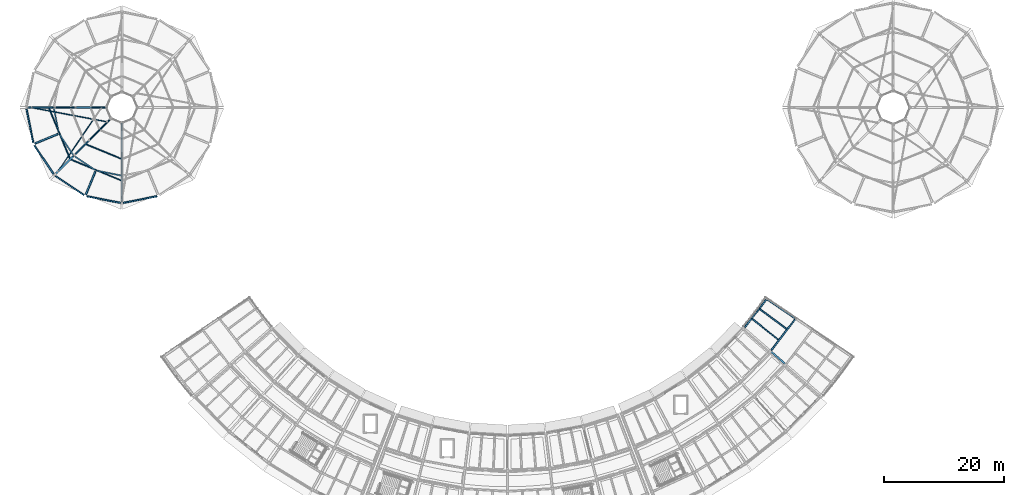
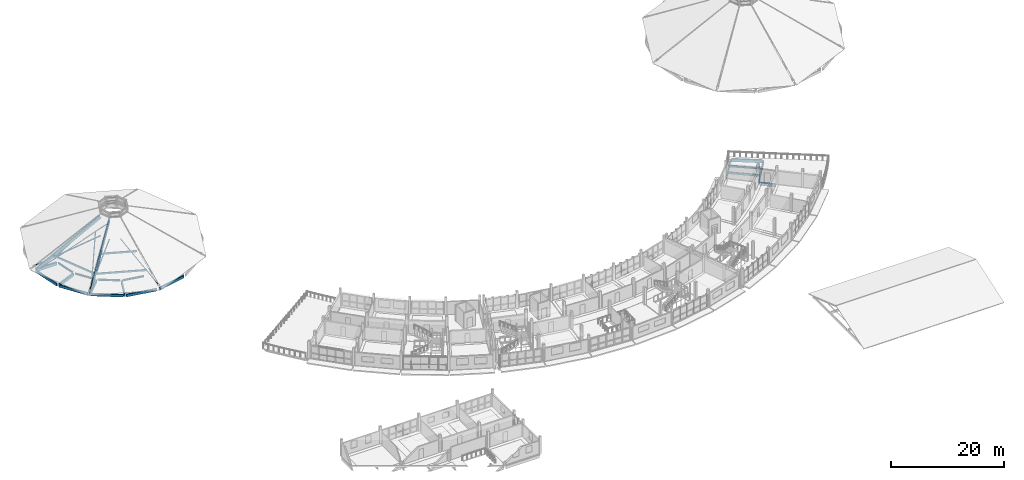
# One storey, part 30 of 66: 19 beams, 12 members.
"""IFC4 building model written with IfcOpenShell, lengths in metres."""

from ifc_helpers import new_model, si_unit, direction, frame, origin, origin_2d, place, context, subcontext, project, spatial, rectangle, hollow_rectangle, hollow_circle, i_section, extrude, material, material_profile, profile_set, type_object, element, save


model = new_model("IFC4")

# Units and contexts
model_context = context("Model", 3, precision=1e-05, world=origin(), true_north=direction((0.0, 1.0)))
body_context = subcontext(model_context, "Body", "Model", "MODEL_VIEW")
ifc_project = project(units=[si_unit("LENGTHUNIT", "METRE"), si_unit("AREAUNIT", "SQUARE_METRE"), si_unit("VOLUMEUNIT", "CUBIC_METRE"), si_unit("PLANEANGLEUNIT", "RADIAN"), si_unit("MASSUNIT", "GRAM", prefix="KILO")], contexts=[model_context])

# Site, building, storey
site_placement = place(None, origin())
site = spatial("IfcSite", under=ifc_project, at=site_placement, CompositionType="ELEMENT")
building_placement = place(site_placement, origin())
building = spatial("IfcBuilding", under=site, at=building_placement, Name="Caldaven Crescent School", CompositionType="ELEMENT")
storey_placement = place(building_placement, frame((0.0, 0.0, 8.159912109375)))
storey = spatial("IfcBuildingStorey", under=building, at=storey_placement, Name="L02", CompositionType="ELEMENT", Elevation=8.159912109375)

# Beams
ifc_material_1 = material(Name="Glulam MLE24h (GL28h)", Category="wood")
ifc_material_profile_1 = material_profile(ifc_material_1, rectangle(XDim=0.239990234375, YDim=0.5400390625, at=origin_2d()), Name="MLE 240x540")
ifc_profile_set_1 = profile_set([ifc_material_profile_1], Name="Glulam MLE24h (GL28h)")
beam_type_1 = type_object("IfcBeamType", Name="BM-GL54", PredefinedType="BEAM", material=ifc_profile_set_1)
beam_1_placement = place(storey_placement, frame((132.124755859375, 57.9140625, -0.52001953125), z_axis=(0.610376182502, 0.792111681415, 0.0), x_axis=(-0.792111681415, 0.610376182502, 0.0)))
element("IfcBeam", 1, at=beam_1_placement, inside=storey, type_object=beam_type_1, Name="BMT-V4E-L02-1332", PredefinedType="BEAM", context=body_context, shape_type="SweptSolid", body=[
    extrude(rectangle(XDim=0.239990234375, YDim=0.5400390625, at=origin_2d()), origin(), (0.0, 0.0, 1.0), 6.4697265625),
])
ifc_material_profile_2 = material_profile(ifc_material_1, rectangle(XDim=0.280029296875, YDim=0.6298828125, at=origin_2d()), Name="MLE 280x630")
ifc_profile_set_2 = profile_set([ifc_material_profile_2], Name="Glulam MLE24h (GL28h)")
beam_type_2 = type_object("IfcBeamType", Name="BM-GL63", PredefinedType="BEAM", material=ifc_profile_set_2)
for number, where, z_axis, x_axis, name in (
    (2, (11.89990234375, 98.5, -0.534912109375), (-1.0, 0.0, 0.0), (0.0, -1.0, 0.0), "BM-V2-L02-0373"),
    (3, (12.782958984375, 94.060791015625, -0.534912109375), (-0.923880985108, -0.382679925467, 0.0), (0.382679925467, -0.923880985108, 0.0), "BM-V2-L02-0376"),
):
    element("IfcBeam", number, at=place(storey_placement, frame(where, z_axis=z_axis, x_axis=x_axis)), inside=storey, type_object=beam_type_2, Name=name, PredefinedType="BEAM", context=body_context, shape_type="SweptSolid", body=[
        extrude(rectangle(XDim=0.280029296875, YDim=0.6298828125, at=origin_2d()), origin(), (0.0, 0.0, 1.0), 4.139892578125),
    ])
beam_2_placement = place(storey_placement, frame((15.297607421875, 90.297607421875, -0.534912109375), z_axis=(-0.707106781187, -0.707106781187, 0.0), x_axis=(0.707106781187, -0.707106781187, 0.0)))
element("IfcBeam", 4, at=beam_2_placement, inside=storey, type_object=beam_type_2, Name="BM-V2-L02-0379", PredefinedType="BEAM", context=body_context, shape_type="SweptSolid", body=[
    extrude(rectangle(XDim=0.280029296875, YDim=0.6298828125, at=origin_2d()), origin(), (0.0, 0.0, 1.0), 4.14013671875),
])
beam_3_placement = place(storey_placement, frame((19.060791015625, 87.782958984375, -0.534912109375), z_axis=(-0.382679925467, -0.923880985108, 0.0), x_axis=(0.923880985108, -0.382679925467, 0.0)))
element("IfcBeam", 5, at=beam_3_placement, inside=storey, type_object=beam_type_2, Name="BM-V2-L02-0382", PredefinedType="BEAM", context=body_context, shape_type="SweptSolid", body=[
    extrude(rectangle(XDim=0.280029296875, YDim=0.6298828125, at=origin_2d()), origin(), (0.0, 0.0, 1.0), 4.139892578125),
])
beam_4_placement = place(storey_placement, frame((132.154296875, 57.6171875, -0.56494140625), z_axis=(0.754742623795, -0.656021014775, 0.0), x_axis=(0.656021014775, 0.754742623795, 0.0)))
element("IfcBeam", 6, at=beam_4_placement, inside=storey, type_object=beam_type_2, Name="BMR-V4E-L02-1292", PredefinedType="BEAM", context=body_context, shape_type="SweptSolid", body=[
    extrude(rectangle(XDim=0.280029296875, YDim=0.6298828125, at=origin_2d()), origin(), (0.0, 0.0, 1.0), 2.989990234375),
])
beam_5_placement = place(storey_placement, frame((131.51953125, 66.385498046875, -0.56494140625), z_axis=(0.826738322643, -0.562586656324, 0.0), x_axis=(0.562586656324, 0.826738322643, 0.0)))
element("IfcBeam", 7, at=beam_5_placement, inside=storey, type_object=beam_type_2, Name="BMR-V4E-L02-1295", PredefinedType="BEAM", context=body_context, shape_type="SweptSolid", body=[
    extrude(rectangle(XDim=0.280029296875, YDim=0.6298828125, at=origin_2d()), origin(), (0.0, 0.0, 1.0), 5.454833984375),
])
ifc_material_2 = material(Name="Steel ASTM A572 Grade 50", Category="steel")
ifc_material_profile_3 = material_profile(ifc_material_2, i_section(OverallWidth=0.205078125, OverallDepth=0.35400390625, WebThickness=0.009521484375, FlangeThickness=0.016845703125, FilletRadius=0.014892578125, at=origin_2d()), Name="W360x79")
ifc_profile_set_3 = profile_set([ifc_material_profile_3], Name="Steel ASTM A572 Grade 50")
beam_type_3 = type_object("IfcBeamType", Name="BM-W36", PredefinedType="BEAM", material=ifc_profile_set_3)
beam_6_placement = place(storey_placement, frame((12.138916015625, 98.303955078125, -0.39697265625), z_axis=(0.195095436925, -0.980784262971, 0.0), x_axis=(0.980784262971, 0.195095436925, 0.0)))
element("IfcBeam", 8, at=beam_6_placement, inside=storey, type_object=beam_type_3, Name="BM-V2-L02-0374", PredefinedType="BEAM", context=body_context, shape_type="SweptSolid", body=[
    extrude(i_section(OverallWidth=0.205078125, OverallDepth=0.35400390625, WebThickness=0.009521484375, FlangeThickness=0.016845703125, FilletRadius=0.014892578125, at=origin_2d()), origin(), (0.0, 0.0, 1.0), 4.04833984375),
])
for number, where, z_axis, x_axis, name in (
    (9, (13.078857421875, 93.97119140625, -0.39697265625), (0.55556277476, -0.831474595704, 0.0), (0.831474595704, 0.55556277476, 0.0), "BM-V2-L02-0377"),
    (10, (15.605224609375, 90.327880859375, -0.39697265625), (0.831474595704, -0.55556277476, 0.0), (0.55556277476, 0.831474595704, 0.0), "BM-V2-L02-0380"),
):
    element("IfcBeam", number, at=place(storey_placement, frame(where, z_axis=z_axis, x_axis=x_axis)), inside=storey, type_object=beam_type_3, Name=name, PredefinedType="BEAM", context=body_context, shape_type="SweptSolid", body=[
        extrude(i_section(OverallWidth=0.205078125, OverallDepth=0.35400390625, WebThickness=0.009521484375, FlangeThickness=0.016845703125, FilletRadius=0.014892578125, at=origin_2d()), origin(), (0.0, 0.0, 1.0), 4.048095703125),
    ])
beam_7_placement = place(storey_placement, frame((19.33349609375, 87.9287109375, -0.39697265625), z_axis=(0.980784262971, -0.195095436925, 0.0), x_axis=(0.195095436925, 0.980784262971, 0.0)))
element("IfcBeam", 11, at=beam_7_placement, inside=storey, type_object=beam_type_3, Name="BM-V2-L02-0383", PredefinedType="BEAM", context=body_context, shape_type="SweptSolid", body=[
    extrude(i_section(OverallWidth=0.205078125, OverallDepth=0.35400390625, WebThickness=0.009521484375, FlangeThickness=0.016845703125, FilletRadius=0.014892578125, at=origin_2d()), origin(), (0.0, 0.0, 1.0), 4.04833984375),
])

# Members
ifc_material_profile_4 = material_profile(ifc_material_2, hollow_circle(Radius=0.05712890625, WallThickness=0.008056640625, at=origin_2d()), Name="CHS 114.3x8.0")
ifc_profile_set_4 = profile_set([ifc_material_profile_4], Name="Steel ASTM A572 Grade 50")
member_type_1 = type_object("IfcMemberType", Name="BR-CH11", PredefinedType="BRACE", material=ifc_profile_set_4)
member_1_placement = place(storey_placement, frame((8.42138671875, 98.477294921875, -0.494140625), z_axis=(0.867283130276, -0.16295821074, 0.470387705506), x_axis=(0.184663595385, 0.98280178904, 0.0)))
element("IfcMember", 12, at=member_1_placement, inside=storey, type_object=member_type_1, Name="RBR-V2-04-X1", PredefinedType="BRACE", context=body_context, shape_type="SweptSolid", body=[
    extrude(hollow_circle(Radius=0.05712890625, WallThickness=0.008056640625, at=origin_2d()), origin(), (0.0, 0.0, 1.0), 14.473876953125),
])
member_2_placement = place(storey_placement, frame((12.82177734375, 87.85400390625, -0.494140625), z_axis=(0.498029503468, 0.728494577084, 0.470385230248), x_axis=(-0.825525919039, 0.564364205983, 0.0)))
element("IfcMember", 13, at=member_2_placement, inside=storey, type_object=member_type_1, Name="RBR-V2-04-X2A", PredefinedType="BRACE", context=body_context, shape_type="SweptSolid", body=[
    extrude(hollow_circle(Radius=0.05712890625, WallThickness=0.008056640625, at=origin_2d()), origin(), (0.0, 0.0, 1.0), 11.851806640625),
])
ifc_material_profile_5 = material_profile(ifc_material_2, hollow_circle(Radius=0.06982421875, WallThickness=0.010009765625, at=origin_2d()), Name="CHS 139.7x10.0")
ifc_profile_set_5 = profile_set([ifc_material_profile_5], Name="Steel ASTM A572 Grade 50")
member_type_2 = type_object("IfcMemberType", Name="BR-CH14", PredefinedType="BRACE", material=ifc_profile_set_5)
member_3_placement = place(storey_placement, frame((12.340576171875, 87.340576171875, 0.529296875), z_axis=(0.700811952879, 0.700811952879, 0.133136071004), x_axis=(-0.707106781187, 0.707106781187, 0.0)))
element("IfcMember", 14, at=member_3_placement, inside=storey, type_object=member_type_2, Name="TT-V2-05", PredefinedType="BRACE", context=body_context, shape_type="SweptSolid", body=[
    extrude(hollow_circle(Radius=0.06982421875, WallThickness=0.010009765625, at=origin_2d()), origin(), (0.0, 0.0, 1.0), 13.280029296875),
])
ifc_material_profile_6 = material_profile(ifc_material_2, hollow_circle(Radius=0.084228515625, WallThickness=0.012451171875, at=origin_2d()), Name="CHS 168.3x12.5")
ifc_profile_set_6 = profile_set([ifc_material_profile_6], Name="Steel ASTM A572 Grade 50")
member_type_3 = type_object("IfcMemberType", Name="BR-CH16", PredefinedType="BRACE", material=ifc_profile_set_6)
for number, where, z_axis, x_axis, name in (
    (15, (7.718017578125, 98.5, 0.529296875), (0.991098017643, 0.0, 0.133134215829), (0.0, 1.0, 0.0), "TT-V2-04"),
    (16, (23.5, 82.718017578125, 0.529296875), (0.0, 0.991098017643, 0.133134215829), (-1.0, 0.0, 0.0), "TT-V2-06"),
):
    element("IfcMember", number, at=place(storey_placement, frame(where, z_axis=z_axis, x_axis=x_axis)), inside=storey, type_object=member_type_3, Name=name, PredefinedType="BRACE", context=body_context, shape_type="SweptSolid", body=[
        extrude(hollow_circle(Radius=0.084228515625, WallThickness=0.012451171875, at=origin_2d()), origin(), (0.0, 0.0, 1.0), 13.2802734375),
    ])
ifc_material_profile_7 = material_profile(ifc_material_1, rectangle(XDim=0.280029296875, YDim=0.6298828125, at=origin_2d()), Name="MLE 280x630")
ifc_profile_set_7 = profile_set([ifc_material_profile_7], Name="Glulam MLE24h (GL28h)")
member_type_4 = type_object("IfcMemberType", Name="CH-GL63", PredefinedType="CHORD", material=ifc_profile_set_7)
for number, where, z_axis, x_axis, name in (
    (17, (7.67724609375, 98.5, -0.46728515625), (0.886348346323, 0.0, 0.463019015777), (0.0, 1.0, 0.0), "TC-V2-04"),
    (18, (12.3115234375, 87.3115234375, -0.46728515625), (0.626742955756, 0.626742955756, 0.463018935703), (-0.707106781187, 0.707106781187, 0.0), "TC-V2-05"),
):
    element("IfcMember", number, at=place(storey_placement, frame(where, z_axis=z_axis, x_axis=x_axis)), inside=storey, type_object=member_type_4, Name=name, PredefinedType="CHORD", context=body_context, shape_type="SweptSolid", body=[
        extrude(rectangle(XDim=0.280029296875, YDim=0.6298828125, at=origin_2d()), origin(), (0.0, 0.0, 1.0), 14.898193359375),
    ])

# Beams
ifc_material_profile_8 = material_profile(ifc_material_1, rectangle(XDim=0.2099609375, YDim=0.419921875, at=origin_2d()), Name="MLE 210x420")
ifc_profile_set_8 = profile_set([ifc_material_profile_8], Name="Glulam MLE24h (GL28h)")
beam_type_4 = type_object("IfcBeamType", Name="JS-GL42", PredefinedType="JOIST", material=ifc_profile_set_8)
for number, where, z_axis, x_axis, name in (
    (19, (128.93359375, 63.15185546875, -0.4599609375), (0.779916998743, -0.625882956367, 0.0), (0.625882956367, 0.779916998743, 0.0), "JSR-V4E-L02-1336"),
    (20, (130.195556640625, 64.789794921875, -0.4599609375), (0.803966298861, -0.594674860991, 0.0), (0.594674860991, 0.803966298861, 0.0), "JSR-V4E-L02-1338"),
):
    element("IfcBeam", number, at=place(storey_placement, frame(where, z_axis=z_axis, x_axis=x_axis)), inside=storey, type_object=beam_type_4, Name=name, PredefinedType="JOIST", context=body_context, shape_type="SweptSolid", body=[
        extrude(rectangle(XDim=0.2099609375, YDim=0.419921875, at=origin_2d()), origin(), (0.0, 0.0, 1.0), 5.61083984375),
    ])

# Members
ifc_material_profile_9 = material_profile(ifc_material_1, rectangle(XDim=0.179931640625, YDim=0.360107421875, at=origin_2d()), Name="MLE 180x360")
ifc_profile_set_9 = profile_set([ifc_material_profile_9], Name="Glulam MLE24h (GL28h)")
member_type_5 = type_object("IfcMemberType", Name="PR-GL36", PredefinedType="PURLIN", material=ifc_profile_set_9)
for number, where, z_axis, x_axis, name in (
    (21, (11.2978515625, 98.38916015625, 1.400146484375), (0.38269013965, -0.923876754235, 0.0), (0.923876754235, 0.38269013965, 0.0), "PUR-V2-04-0"),
    (22, (14.9501953125, 89.79345703125, 1.400146484375), (0.923876754235, -0.38269013965, 0.0), (0.38269013965, 0.923876754235, 0.0), "PUR-V2-05-0"),
):
    element("IfcMember", number, at=place(storey_placement, frame(where, z_axis=z_axis, x_axis=x_axis)), inside=storey, type_object=member_type_5, Name=name, PredefinedType="PURLIN", context=body_context, shape_type="SweptSolid", body=[
        extrude(rectangle(XDim=0.179931640625, YDim=0.360107421875, at=origin_2d()), origin(), (0.0, 0.0, 1.0), 9.13427734375),
    ])
member_4_placement = place(storey_placement, frame((17.508544921875, 92.351806640625, 3.2900390625), z_axis=(0.923881730405, -0.382678126137, 0.0), x_axis=(0.382678126137, 0.923881730405, 0.0)))
element("IfcMember", 23, at=member_4_placement, inside=storey, type_object=member_type_5, Name="PUR-V2-05-1", PredefinedType="PURLIN", context=body_context, shape_type="SweptSolid", body=[
    extrude(rectangle(XDim=0.179931640625, YDim=0.360107421875, at=origin_2d()), origin(), (0.0, 0.0, 1.0), 6.365234375),
])

# Beams
ifc_material_profile_10 = material_profile(ifc_material_1, rectangle(XDim=0.239990234375, YDim=0.5400390625, at=origin_2d()), Name="MLE 240x540")
ifc_profile_set_10 = profile_set([ifc_material_profile_10], Name="Glulam MLE24h (GL28h)")
beam_type_5 = type_object("IfcBeamType", Name="SP-GL54", PredefinedType="SPANDREL", material=ifc_profile_set_10)
for number, where, z_axis, x_axis, name in (
    (24, (7.55078125, 98.2451171875, -0.489990234375), (0.195082351248, -0.980786865854, 0.0), (0.980786865854, 0.195082351248, 0.0), "BM-V2-L02-0375"),
    (25, (8.8623046875, 92.160888671875, -0.489990234375), (0.555576082938, -0.831465703483, 0.0), (0.831465703483, 0.555576082938, 0.0), "BM-V2-L02-0378"),
    (26, (12.402587890625, 87.041748046875, -0.489990234375), (0.831465703483, -0.555576082938, 0.0), (0.555576082938, 0.831465703483, 0.0), "BM-V2-L02-0381"),
    (27, (17.632080078125, 83.667236328125, -0.489990234375), (0.980786865854, -0.195082351248, 0.0), (0.195082351248, 0.980786865854, 0.0), "BM-V2-L02-0384"),
    (28, (23.7548828125, 82.55078125, -0.489990234375), (0.980786865854, 0.195082351248, 0.0), (-0.195082351248, 0.980786865854, 0.0), "BM-V2-L02-0387"),
):
    element("IfcBeam", number, at=place(storey_placement, frame(where, z_axis=z_axis, x_axis=x_axis)), inside=storey, type_object=beam_type_5, Name=name, PredefinedType="SPANDREL", context=body_context, shape_type="SweptSolid", body=[
        extrude(rectangle(XDim=0.239990234375, YDim=0.5400390625, at=origin_2d()), origin(), (0.0, 0.0, 1.0), 5.722900390625),
    ])
beam_8_placement = place(storey_placement, frame((127.700439453125, 61.740234375, -0.52001953125), z_axis=(0.610411197454, 0.792084698768, 0.0), x_axis=(-0.792084698768, 0.610411197454, 0.0)))
element("IfcBeam", 29, at=beam_8_placement, inside=storey, type_object=beam_type_5, Name="BMT-V4E-L02-1331", PredefinedType="SPANDREL", context=body_context, shape_type="SweptSolid", body=[
    extrude(rectangle(XDim=0.239990234375, YDim=0.5400390625, at=origin_2d()), origin(), (0.0, 0.0, 1.0), 5.809326171875),
])

# Members
ifc_material_profile_11 = material_profile(ifc_material_2, hollow_rectangle(XDim=0.14990234375, YDim=0.14990234375, WallThickness=0.008056640625, InnerFilletRadius=0.008056640625, OuterFilletRadius=0.01611328125, at=origin_2d()), Name="HSS 150x150x8")
ifc_profile_set_11 = profile_set([ifc_material_profile_11], Name="Steel ASTM A572 Grade 50")
member_type_6 = type_object("IfcMemberType", Name="ST-HS15", PredefinedType="STRUT", material=ifc_profile_set_11)
for number, where, z_axis, x_axis, name in (
    (30, (12.3076171875, 98.5, 1.265869140625), (0.840730639983, 0.0, 0.541453590803), (0.0, 1.0, 0.0), "WB-V2-04"),
    (31, (15.5859375, 90.5859375, 1.265869140625), (0.594486969052, 0.594486969052, 0.541452202189), (-0.707106781187, 0.707106781187, 0.0), "WB-V2-05"),
):
    element("IfcMember", number, at=place(storey_placement, frame(where, z_axis=z_axis, x_axis=x_axis)), inside=storey, type_object=member_type_6, Name=name, PredefinedType="STRUT", context=body_context, shape_type="SweptSolid", body=[
        extrude(hollow_rectangle(XDim=0.14990234375, YDim=0.14990234375, WallThickness=0.008056640625, InnerFilletRadius=0.008056640625, OuterFilletRadius=0.01611328125, at=origin_2d()), origin(), (0.0, 0.0, 1.0), 4.0234375),
    ])

save(model, "model.ifc")
